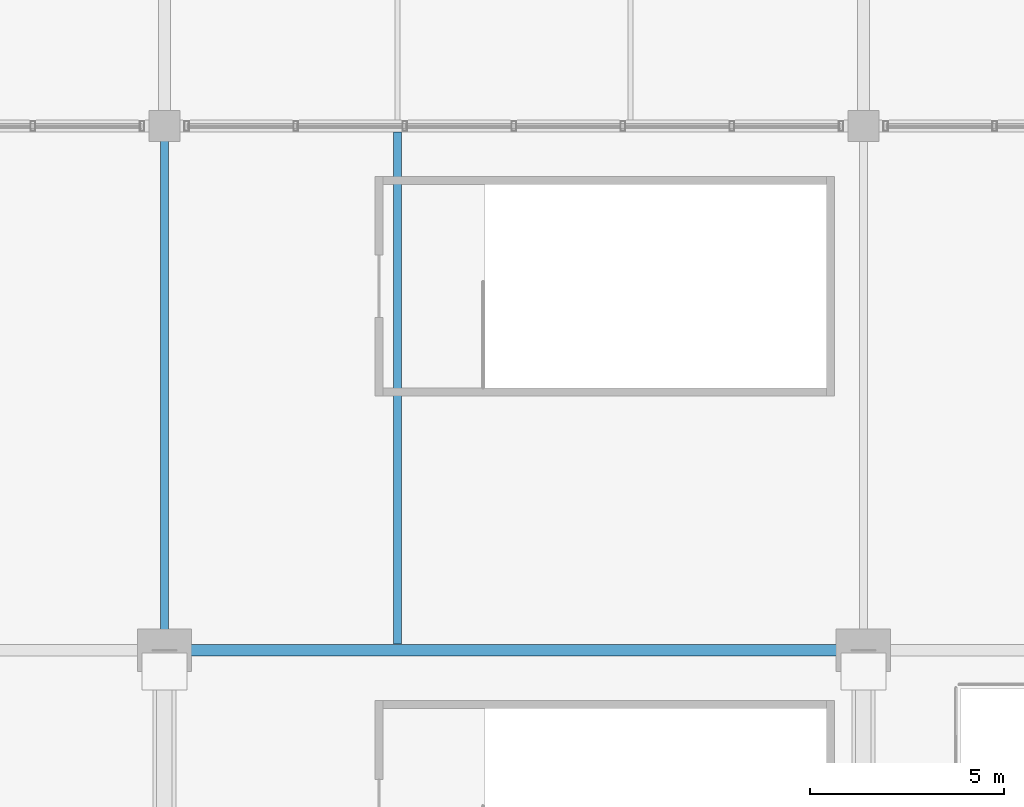
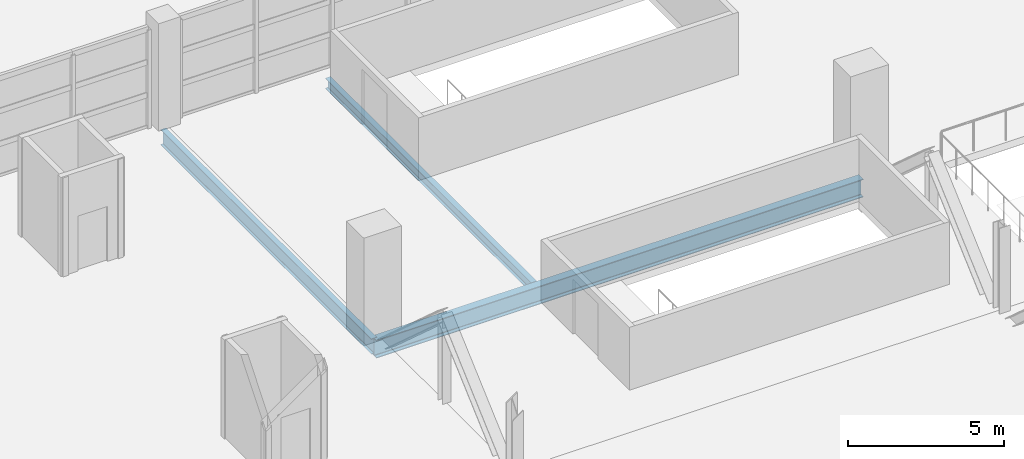
# One storey, part 36 of 136: 3 beams.
"""IFC4 building model written with IfcOpenShell, lengths in metres."""

from ifc_helpers import new_model, si_unit, direction, frame, origin, origin_2d, place, context, subcontext, project, spatial, i_section, extrude, material, material_profile, profile_set, type_object, element, save


model = new_model("IFC4")

# Units and contexts
model_context = context("Model", 3, precision=1e-05, world=origin(), true_north=direction((0.0, 1.0)))
body_context = subcontext(model_context, "Body", "Model", "MODEL_VIEW")
ifc_project = project(units=[si_unit("LENGTHUNIT", "METRE"), si_unit("AREAUNIT", "SQUARE_METRE"), si_unit("VOLUMEUNIT", "CUBIC_METRE"), si_unit("PLANEANGLEUNIT", "RADIAN"), si_unit("MASSUNIT", "GRAM", prefix="KILO")], contexts=[model_context])

# Site, building, storey
site_placement = place(None, origin())
site = spatial("IfcSite", under=ifc_project, at=site_placement, CompositionType="ELEMENT")
building_placement = place(site_placement, origin())
building = spatial("IfcBuilding", under=site, at=building_placement, Name="Chuanluo Vaults Station", CompositionType="ELEMENT")
storey_placement = place(building_placement, frame((0.0, 0.0, 6.60009765625)))
storey = spatial("IfcBuildingStorey", under=building, at=storey_placement, Name="L01", CompositionType="ELEMENT", Elevation=6.60009765625)

# Beams
ifc_material_1 = material(Name="Steel Q355C", Category="steel")
ifc_material_profile_1 = material_profile(ifc_material_1, i_section(OverallWidth=0.199951171875, OverallDepth=0.60009765625, WebThickness=0.010986328125, FlangeThickness=0.01708984375, FilletRadius=0.01806640625, at=origin_2d()))
ifc_profile_set_1 = profile_set([ifc_material_profile_1], Name="Steel Q355C")
beam_type_1 = type_object("IfcBeamType", Name="BM-GRD-600", PredefinedType="USERDEFINED", material=ifc_profile_set_1)
beam_1_placement = place(storey_placement, frame((54.0, 103.5, -0.580078125), z_axis=(0.0, 1.0, 0.0), x_axis=(-1.0, 0.0, 0.0)))
element("IfcBeam", 1, at=beam_1_placement, inside=storey, type_object=beam_type_1, Name="Floor girder BM:GY:L01:0431", ObjectType="GIRDER", PredefinedType="USERDEFINED", context=body_context, shape_type="SweptSolid", body=[
    extrude(i_section(OverallWidth=0.199951171875, OverallDepth=0.60009765625, WebThickness=0.010986328125, FlangeThickness=0.01708984375, FilletRadius=0.01806640625, at=origin_2d()), origin(), (0.0, 0.0, 1.0), 13.5),
])
ifc_material_2 = material(Name="Steel Q355C", Category="steel")
ifc_material_profile_2 = material_profile(ifc_material_2, i_section(OverallWidth=0.300048828125, OverallDepth=0.699951171875, WebThickness=0.012939453125, FlangeThickness=0.02392578125, FilletRadius=0.02197265625, at=origin_2d()))
ifc_profile_set_2 = profile_set([ifc_material_profile_2], Name="Steel Q355C")
beam_type_2 = type_object("IfcBeamType", Name="BM-GRD-700", PredefinedType="USERDEFINED", material=ifc_profile_set_2)
beam_2_placement = place(storey_placement, frame((54.0, 103.5, -0.630126953125), z_axis=(1.0, 0.0, 0.0), x_axis=(0.0, 1.0, 0.0)))
element("IfcBeam", 2, at=beam_2_placement, inside=storey, type_object=beam_type_2, Name="Floor girder BM:GX:L01:0365", ObjectType="GIRDER", PredefinedType="USERDEFINED", context=body_context, shape_type="SweptSolid", body=[
    extrude(i_section(OverallWidth=0.300048828125, OverallDepth=0.699951171875, WebThickness=0.012939453125, FlangeThickness=0.02392578125, FilletRadius=0.02197265625, at=origin_2d()), origin(), (0.0, 0.0, 1.0), 18.0),
])
ifc_material_3 = material(Name="Steel Q355C", Category="steel")
ifc_material_profile_3 = material_profile(ifc_material_3, i_section(OverallWidth=0.199951171875, OverallDepth=0.39990234375, WebThickness=0.008056640625, FlangeThickness=0.012939453125, FilletRadius=0.01611328125, at=origin_2d()))
ifc_profile_set_3 = profile_set([ifc_material_profile_3], Name="Steel Q355C")
beam_type_3 = type_object("IfcBeamType", Name="BM-SEC-400", PredefinedType="BEAM", material=ifc_profile_set_3)
beam_3_placement = place(storey_placement, frame((60.0, 103.655029296875, -0.47998046875), z_axis=(0.0, 1.0, 0.0), x_axis=(-1.0, 0.0, 0.0)))
element("IfcBeam", 3, at=beam_3_placement, inside=storey, type_object=beam_type_3, Name="Composite secondary joist 0125", PredefinedType="BEAM", context=body_context, shape_type="SweptSolid", body=[
    extrude(i_section(OverallWidth=0.199951171875, OverallDepth=0.39990234375, WebThickness=0.008056640625, FlangeThickness=0.012939453125, FilletRadius=0.01611328125, at=origin_2d()), origin(), (0.0, 0.0, 1.0), 13.18994140625),
])

save(model, "model.ifc")
